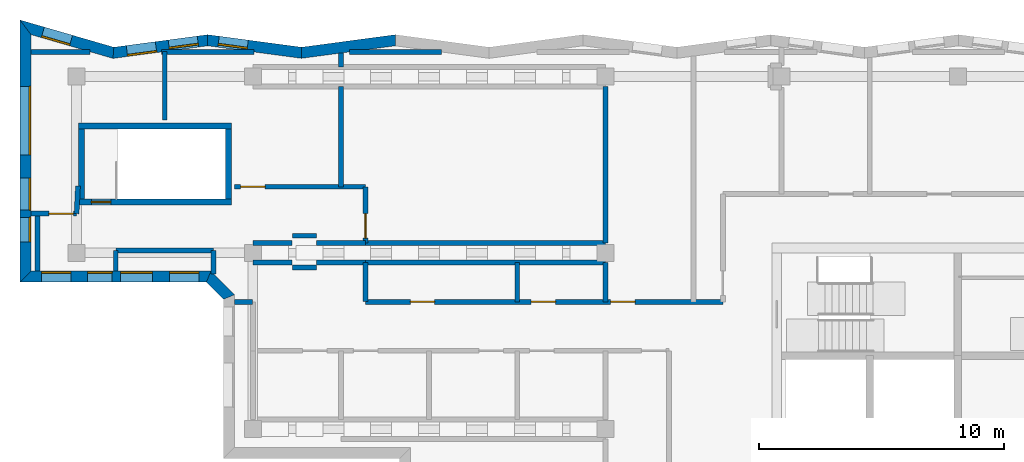
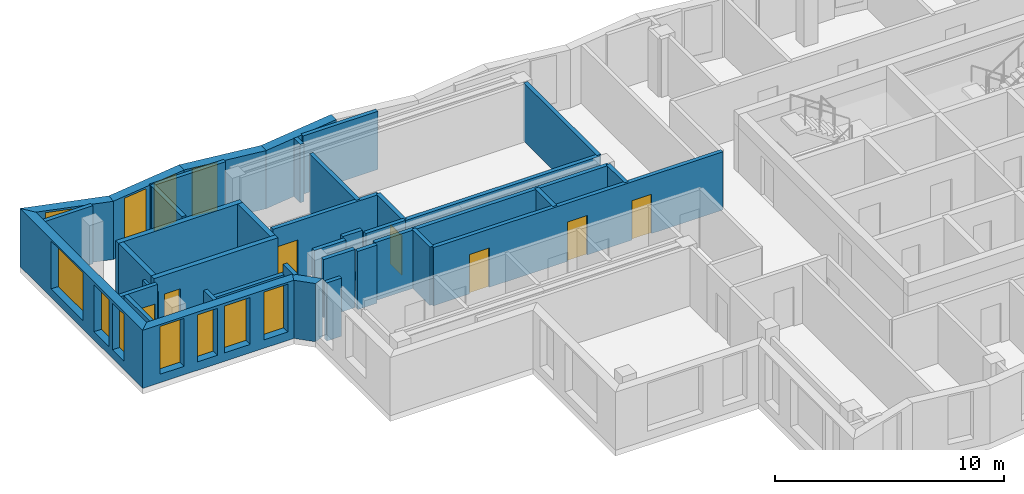
# One storey, part 6 of 12: 39 walls, 11 windows, 7 doors, 18 openings.
"""IFC4 building model written with IfcOpenShell, lengths in metres."""

from ifc_helpers import new_model, si_unit, direction, frame, frame_2d, origin, place, context, subcontext, project, spatial, polyline, rectangle, outline, extrude, material, layer, layer_set, type_object, element, fill, save


model = new_model("IFC4")

# Units and contexts
model_context = context("Model", 3, precision=1e-05, world=origin(), true_north=direction((0.0, 1.0)))
body_context = subcontext(model_context, "Body", "Model", "MODEL_VIEW")
ifc_project = project(units=[si_unit("LENGTHUNIT", "METRE"), si_unit("AREAUNIT", "SQUARE_METRE"), si_unit("VOLUMEUNIT", "CUBIC_METRE"), si_unit("PLANEANGLEUNIT", "RADIAN"), si_unit("MASSUNIT", "GRAM", prefix="KILO")], contexts=[model_context])

# Site, building, storey
site_placement = place(None, origin())
site = spatial("IfcSite", under=ifc_project, at=site_placement, CompositionType="ELEMENT")
building_placement = place(site_placement, origin())
building = spatial("IfcBuilding", under=site, at=building_placement, Name="Windrow Commons", CompositionType="ELEMENT")
storey_placement = place(building_placement, frame((0.0, 0.0, 267.6)))
storey = spatial("IfcBuildingStorey", under=building, at=storey_placement, Name="L73", CompositionType="ELEMENT", Elevation=267.6)

# Wall
ifc_material_1 = material(Name="Brick masonry, red clay brick", Category="masonry")
ifc_layer_1 = layer(ifc_material_1, 0.45)
ifc_layer_set_1 = layer_set([ifc_layer_1], Name="Brick facade wall 450")
wall_type_1 = type_object("IfcWallType", Name="Brick facade wall 450", PredefinedType="SOLIDWALL", material=ifc_layer_set_1)
wall_1_placement = place(storey_placement, frame((41.8222, 73.485, 0.0), z_axis=(0.0, 0.0, 1.0), x_axis=(-0.9911985198, -0.13238389, 0.0)))
element("IfcWall", 1, at=wall_1_placement, inside=storey, type_object=wall_type_1, Name="Brick facade wall L73 27", PredefinedType="SOLIDWALL", context=body_context, shape_type="SweptSolid", body=[
    extrude(outline(polyline([(-0.0301, -0.225), (3.8375, -0.225), (3.8976, 0.225), (0.0301, 0.225), (-0.0301, -0.225)])), origin(), (0.0, 0.0, 1.0), 3.1),
])

# Wall, opening, window
wall_2_placement = place(storey_placement, frame((37.9887, 72.973, 0.0), z_axis=(0.0, 0.0, 1.0), x_axis=(-0.9911989729, 0.1323804972, 0.0)))
wall_2 = element("IfcWall", 2, at=wall_2_placement, inside=storey, type_object=wall_type_1, Name="Brick facade wall L73 28", PredefinedType="SOLIDWALL", context=body_context, shape_type="SweptSolid", body=[
    extrude(outline(polyline([(0.0301, -0.225), (3.8976, -0.225), (3.8375, 0.225), (-0.0301, 0.225), (0.0301, -0.225)])), origin(), (0.0, 0.0, 1.0), 3.1),
])
opening_1_placement = place(wall_2_placement, frame((2.2219, 0.0, 0.45)))
opening_1 = element("IfcOpeningElement", 3, at=opening_1_placement, cuts=wall_2, Name="Opening W7F", PredefinedType="OPENING", context=body_context, shape_type="SweptSolid", body=[
    extrude(rectangle(XDim=1.2, YDim=2.55, at=frame_2d((0.6, 1.275))), frame((0.0, 0.235, 0.0), z_axis=(0.0, -1.0, 0.0), x_axis=(1.0, 0.0, 0.0)), (0.0, 0.0, 1.0), 0.47),
])
ifc_material_2 = material(Name="Clear float glass in anodised aluminium frame", Category="aluminium")
window_type_1 = type_object("IfcWindowType", Name="Window W7 notch 1200x2550", PartitioningType="SINGLE_PANEL", PredefinedType="WINDOW", material=ifc_material_2)
window_1_placement = place(opening_1_placement, origin())
window_1 = element("IfcWindow", 4, at=window_1_placement, inside=storey, type_object=window_type_1, Name="Window L73 28.1", OverallHeight=2.55, OverallWidth=1.2, PartitioningType="SINGLE_PANEL", PredefinedType="WINDOW", context=body_context, shape_type="SweptSolid", body=[
    extrude(rectangle(XDim=1.2, YDim=2.55, at=frame_2d((0.6, 1.275))), frame((0.0, 0.135, 0.0), z_axis=(0.0, -1.0, 0.0), x_axis=(1.0, 0.0, 0.0)), (0.0, 0.0, 1.0), 0.06),
])
fill(opening_1, window_1)

# Wall, openings, windows
wall_3_placement = place(storey_placement, frame((34.1551, 73.485, 0.0), z_axis=(0.0, 0.0, 1.0), x_axis=(-0.991198426, -0.1323845925, 0.0)))
wall_3 = element("IfcWall", 5, at=wall_3_placement, inside=storey, type_object=wall_type_1, Name="Brick facade wall L73 29", PredefinedType="SOLIDWALL", context=body_context, shape_type="SweptSolid", body=[
    extrude(outline(polyline([(-0.0301, -0.225), (3.8375, -0.225), (3.9323, 0.225), (0.0301, 0.225), (-0.0301, -0.225)])), origin(), (0.0, 0.0, 1.0), 3.1),
])
opening_2_placement = place(wall_3_placement, frame((0.4004, 0.0, 0.45)))
opening_2 = element("IfcOpeningElement", 6, at=opening_2_placement, cuts=wall_3, Name="Opening W7F", PredefinedType="OPENING", context=body_context, shape_type="SweptSolid", body=[
    extrude(rectangle(XDim=1.2, YDim=2.55, at=frame_2d((0.6, 1.275))), frame((0.0, 0.235, 0.0), z_axis=(0.0, -1.0, 0.0), x_axis=(1.0, 0.0, 0.0)), (0.0, 0.0, 1.0), 0.47),
])
opening_3_placement = place(wall_3_placement, frame((2.1278, 0.0, 0.45)))
opening_3 = element("IfcOpeningElement", 7, at=opening_3_placement, cuts=wall_3, Name="Opening W7F", PredefinedType="OPENING", context=body_context, shape_type="SweptSolid", body=[
    extrude(rectangle(XDim=1.2, YDim=2.55, at=frame_2d((0.6, 1.275))), frame((0.0, 0.235, 0.0), z_axis=(0.0, -1.0, 0.0), x_axis=(1.0, 0.0, 0.0)), (0.0, 0.0, 1.0), 0.47),
])
window_2_placement = place(opening_2_placement, origin())
window_2 = element("IfcWindow", 8, at=window_2_placement, inside=storey, type_object=window_type_1, Name="Window L73 29.1", OverallHeight=2.55, OverallWidth=1.2, PartitioningType="SINGLE_PANEL", PredefinedType="WINDOW", context=body_context, shape_type="SweptSolid", body=[
    extrude(rectangle(XDim=1.2, YDim=2.55, at=frame_2d((0.6, 1.275))), frame((0.0, 0.135, 0.0), z_axis=(0.0, -1.0, 0.0), x_axis=(1.0, 0.0, 0.0)), (0.0, 0.0, 1.0), 0.06),
])
fill(opening_2, window_2)
window_3_placement = place(opening_3_placement, origin())
window_3 = element("IfcWindow", 9, at=window_3_placement, inside=storey, type_object=window_type_1, Name="Window L73 29.2", OverallHeight=2.55, OverallWidth=1.2, PartitioningType="SINGLE_PANEL", PredefinedType="WINDOW", context=body_context, shape_type="SweptSolid", body=[
    extrude(rectangle(XDim=1.2, YDim=2.55, at=frame_2d((0.6, 1.275))), frame((0.0, 0.205, 0.0), z_axis=(0.0, -1.0, 0.0), x_axis=(1.0, 0.0, 0.0)), (0.0, 0.0, 1.0), 0.06),
])
fill(opening_3, window_3)

# Wall, opening, window
wall_4_placement = place(storey_placement, frame((30.3044, 72.9707, 0.0), z_axis=(0.0, 0.0, 1.0), x_axis=(-0.9604081046, 0.2785969715, 0.0)))
wall_4 = element("IfcWall", 10, at=wall_4_placement, inside=storey, type_object=wall_type_1, Name="Brick facade wall L73 30", PredefinedType="SOLIDWALL", context=body_context, shape_type="SweptSolid", body=[
    extrude(outline(polyline([(0.0474, -0.225), (4.039, -0.225), (3.4399, 0.225), (-0.0474, 0.225), (0.0474, -0.225)])), origin(), (0.0, 0.0, 1.0), 3.1),
])
opening_4_placement = place(wall_4_placement, frame((1.8031, 0.0, 0.45)))
opening_4 = element("IfcOpeningElement", 11, at=opening_4_placement, cuts=wall_4, Name="Opening W7F", PredefinedType="OPENING", context=body_context, shape_type="SweptSolid", body=[
    extrude(rectangle(XDim=1.2, YDim=2.55, at=frame_2d((0.6, 1.275))), frame((0.0, 0.235, 0.0), z_axis=(0.0, -1.0, 0.0), x_axis=(1.0, 0.0, 0.0)), (0.0, 0.0, 1.0), 0.47),
])
window_4_placement = place(opening_4_placement, origin())
window_4 = element("IfcWindow", 12, at=window_4_placement, inside=storey, type_object=window_type_1, Name="Window L73 30.1", OverallHeight=2.55, OverallWidth=1.2, PartitioningType="SINGLE_PANEL", PredefinedType="WINDOW", context=body_context, shape_type="SweptSolid", body=[
    extrude(rectangle(XDim=1.2, YDim=2.55, at=frame_2d((0.6, 1.275))), frame((0.0, 0.205, 0.0), z_axis=(0.0, -1.0, 0.0), x_axis=(1.0, 0.0, 0.0)), (0.0, 0.0, 1.0), 0.06),
])
fill(opening_4, window_4)

# Wall, openings, windows
wall_5_placement = place(storey_placement, frame((26.713, 74.0125, 0.0), z_axis=(0.0, 0.0, 1.0), x_axis=(0.0, -1.0, 0.0)))
wall_5 = element("IfcWall", 13, at=wall_5_placement, inside=storey, type_object=wall_type_1, Name="Brick facade wall L73 31", PredefinedType="SOLIDWALL", context=body_context, shape_type="SweptSolid", body=[
    extrude(outline(polyline([(-0.2995, -0.225), (10.4125, -0.225), (9.9625, 0.225), (0.2995, 0.225), (-0.2995, -0.225)])), origin(), (0.0, 0.0, 1.0), 3.1),
])
opening_5_placement = place(wall_5_placement, frame((2.4125, 0.0, 0.45)))
opening_5 = element("IfcOpeningElement", 14, at=opening_5_placement, cuts=wall_5, Name="Opening W1V", PredefinedType="OPENING", context=body_context, shape_type="SweptSolid", body=[
    extrude(rectangle(XDim=2.8, YDim=2.55, at=frame_2d((1.4, 1.275))), frame((0.0, 0.235, 0.0), z_axis=(0.0, -1.0, 0.0), x_axis=(1.0, 0.0, 0.0)), (0.0, 0.0, 1.0), 0.47),
])
opening_6_placement = place(wall_5_placement, frame((6.1625, 0.0, 0.45)))
opening_6 = element("IfcOpeningElement", 15, at=opening_6_placement, cuts=wall_5, Name="Opening W1Q", PredefinedType="OPENING", context=body_context, shape_type="SweptSolid", body=[
    extrude(rectangle(XDim=1.3, YDim=2.5, at=frame_2d((0.65, 1.25))), frame((0.0, 0.235, 0.0), z_axis=(0.0, -1.0, 0.0), x_axis=(1.0, 0.0, 0.0)), (0.0, 0.0, 1.0), 0.47),
])
opening_7_placement = place(wall_5_placement, frame((7.7625, 0.0, 0.45)))
opening_7 = element("IfcOpeningElement", 16, at=opening_7_placement, cuts=wall_5, Name="Opening W1S", PredefinedType="OPENING", context=body_context, shape_type="SweptSolid", body=[
    extrude(rectangle(XDim=1.0, YDim=2.5, at=frame_2d((0.5, 1.25))), frame((0.0, 0.235, 0.0), z_axis=(0.0, -1.0, 0.0), x_axis=(1.0, 0.0, 0.0)), (0.0, 0.0, 1.0), 0.47),
])
ifc_material_3 = material(Name="Clear float glass in anodised aluminium frame", Category="aluminium")
window_type_2 = type_object("IfcWindowType", Name="Window W1Q pair 1300x2500", PartitioningType="SINGLE_PANEL", PredefinedType="WINDOW", material=ifc_material_3)
window_5_placement = place(opening_6_placement, origin())
window_5 = element("IfcWindow", 17, at=window_5_placement, inside=storey, type_object=window_type_2, Name="Window L73 31.2A", OverallHeight=2.5, OverallWidth=1.3, PartitioningType="SINGLE_PANEL", PredefinedType="WINDOW", context=body_context, shape_type="SweptSolid", body=[
    extrude(rectangle(XDim=1.3, YDim=2.5, at=frame_2d((0.65, 1.25))), frame((0.0, 0.205, 0.0), z_axis=(0.0, -1.0, 0.0), x_axis=(1.0, 0.0, 0.0)), (0.0, 0.0, 1.0), 0.06),
])
fill(opening_6, window_5)
ifc_material_4 = material(Name="Clear float glass in anodised aluminium frame", Category="aluminium")
window_type_3 = type_object("IfcWindowType", Name="Window W1S slit 1000x2500", PartitioningType="SINGLE_PANEL", PredefinedType="WINDOW", material=ifc_material_4)
window_6_placement = place(opening_7_placement, origin())
window_6 = element("IfcWindow", 18, at=window_6_placement, inside=storey, type_object=window_type_3, Name="Window L73 31.2B", OverallHeight=2.5, OverallWidth=1.0, PartitioningType="SINGLE_PANEL", PredefinedType="WINDOW", context=body_context, shape_type="SweptSolid", body=[
    extrude(rectangle(XDim=1.0, YDim=2.5, at=frame_2d((0.5, 1.25))), frame((0.0, 0.205, 0.0), z_axis=(0.0, -1.0, 0.0), x_axis=(1.0, 0.0, 0.0)), (0.0, 0.0, 1.0), 0.06),
])
fill(opening_7, window_6)
ifc_material_5 = material(Name="Clear float glass in anodised aluminium frame", Category="aluminium")
window_type_4 = type_object("IfcWindowType", Name="Window W1V bedroom 2800x2550", PartitioningType="SINGLE_PANEL", PredefinedType="WINDOW", material=ifc_material_5)
window_7_placement = place(opening_5_placement, origin())
window_7 = element("IfcWindow", 19, at=window_7_placement, inside=storey, type_object=window_type_4, Name="Window L73 31.1", OverallHeight=2.55, OverallWidth=2.8, PartitioningType="SINGLE_PANEL", PredefinedType="WINDOW", context=body_context, shape_type="SweptSolid", body=[
    extrude(rectangle(XDim=2.8, YDim=2.55, at=frame_2d((1.4, 1.275))), frame((0.0, 0.205, 0.0), z_axis=(0.0, -1.0, 0.0), x_axis=(1.0, 0.0, 0.0)), (0.0, 0.0, 1.0), 0.06),
])
fill(opening_5, window_7)

wall_6_placement = place(storey_placement, frame((26.713, 63.825, 0.0), z_axis=(0.0, 0.0, 1.0), x_axis=(1.0, 0.0, 0.0)))
wall_6 = element("IfcWall", 20, at=wall_6_placement, inside=storey, type_object=wall_type_1, Name="Brick facade wall L73 32", PredefinedType="SOLIDWALL", context=body_context, shape_type="SweptSolid", body=[
    extrude(outline(polyline([(-0.225, -0.225), (7.387, -0.225), (7.5734, 0.225), (0.225, 0.225), (-0.225, -0.225)])), origin(), (0.0, 0.0, 1.0), 3.1),
])
opening_8_placement = place(wall_6_placement, frame((0.656, 0.0, 0.45)))
opening_8 = element("IfcOpeningElement", 21, at=opening_8_placement, cuts=wall_6, Name="Opening W7F", PredefinedType="OPENING", context=body_context, shape_type="SweptSolid", body=[
    extrude(rectangle(XDim=1.2, YDim=2.55, at=frame_2d((0.6, 1.275))), frame((0.0, 0.235, 0.0), z_axis=(0.0, -1.0, 0.0), x_axis=(1.0, 0.0, 0.0)), (0.0, 0.0, 1.0), 0.47),
])
opening_9_placement = place(wall_6_placement, frame((5.8836, 0.0, 0.45)))
opening_9 = element("IfcOpeningElement", 22, at=opening_9_placement, cuts=wall_6, Name="Opening W7F", PredefinedType="OPENING", context=body_context, shape_type="SweptSolid", body=[
    extrude(rectangle(XDim=1.2, YDim=2.55, at=frame_2d((0.6, 1.275))), frame((0.0, 0.235, 0.0), z_axis=(0.0, -1.0, 0.0), x_axis=(1.0, 0.0, 0.0)), (0.0, 0.0, 1.0), 0.47),
])
opening_10_placement = place(wall_6_placement, frame((2.537, 0.0, 0.45)))
opening_10 = element("IfcOpeningElement", 23, at=opening_10_placement, cuts=wall_6, Name="Opening W1S", PredefinedType="OPENING", context=body_context, shape_type="SweptSolid", body=[
    extrude(rectangle(XDim=1.0, YDim=2.5, at=frame_2d((0.5, 1.25))), frame((0.0, 0.235, 0.0), z_axis=(0.0, -1.0, 0.0), x_axis=(1.0, 0.0, 0.0)), (0.0, 0.0, 1.0), 0.47),
])
opening_11_placement = place(wall_6_placement, frame((3.887, 0.0, 0.45)))
opening_11 = element("IfcOpeningElement", 24, at=opening_11_placement, cuts=wall_6, Name="Opening W1Q", PredefinedType="OPENING", context=body_context, shape_type="SweptSolid", body=[
    extrude(rectangle(XDim=1.3, YDim=2.5, at=frame_2d((0.65, 1.25))), frame((0.0, 0.235, 0.0), z_axis=(0.0, -1.0, 0.0), x_axis=(1.0, 0.0, 0.0)), (0.0, 0.0, 1.0), 0.47),
])
window_8_placement = place(opening_11_placement, origin())
window_8 = element("IfcWindow", 25, at=window_8_placement, inside=storey, type_object=window_type_2, Name="Window L73 32.1B", OverallHeight=2.5, OverallWidth=1.3, PartitioningType="SINGLE_PANEL", PredefinedType="WINDOW", context=body_context, shape_type="SweptSolid", body=[
    extrude(rectangle(XDim=1.3, YDim=2.5, at=frame_2d((0.65, 1.25))), frame((0.0, 0.205, 0.0), z_axis=(0.0, -1.0, 0.0), x_axis=(1.0, 0.0, 0.0)), (0.0, 0.0, 1.0), 0.06),
])
fill(opening_11, window_8)
window_9_placement = place(opening_10_placement, origin())
window_9 = element("IfcWindow", 26, at=window_9_placement, inside=storey, type_object=window_type_3, Name="Window L73 32.1A", OverallHeight=2.5, OverallWidth=1.0, PartitioningType="SINGLE_PANEL", PredefinedType="WINDOW", context=body_context, shape_type="SweptSolid", body=[
    extrude(rectangle(XDim=1.0, YDim=2.5, at=frame_2d((0.5, 1.25))), frame((0.0, 0.205, 0.0), z_axis=(0.0, -1.0, 0.0), x_axis=(1.0, 0.0, 0.0)), (0.0, 0.0, 1.0), 0.06),
])
fill(opening_10, window_9)
window_10_placement = place(opening_8_placement, origin())
window_10 = element("IfcWindow", 27, at=window_10_placement, inside=storey, type_object=window_type_1, Name="Window L73 32.2", OverallHeight=2.55, OverallWidth=1.2, PartitioningType="SINGLE_PANEL", PredefinedType="WINDOW", context=body_context, shape_type="SweptSolid", body=[
    extrude(rectangle(XDim=1.2, YDim=2.55, at=frame_2d((0.6, 1.275))), frame((0.0, 0.205, 0.0), z_axis=(0.0, -1.0, 0.0), x_axis=(1.0, 0.0, 0.0)), (0.0, 0.0, 1.0), 0.06),
])
fill(opening_8, window_10)
window_11_placement = place(opening_9_placement, origin())
window_11 = element("IfcWindow", 28, at=window_11_placement, inside=storey, type_object=window_type_1, Name="Window L73 32.3", OverallHeight=2.55, OverallWidth=1.2, PartitioningType="SINGLE_PANEL", PredefinedType="WINDOW", context=body_context, shape_type="SweptSolid", body=[
    extrude(rectangle(XDim=1.2, YDim=2.55, at=frame_2d((0.6, 1.275))), frame((0.0, 0.205, 0.0), z_axis=(0.0, -1.0, 0.0), x_axis=(1.0, 0.0, 0.0)), (0.0, 0.0, 1.0), 0.06),
])
fill(opening_9, window_11)

# Wall
wall_7_placement = place(storey_placement, frame((34.1932, 63.825, 0.0), z_axis=(0.0, 0.0, 1.0), x_axis=(0.7071067812, -0.7071067812, 0.0)))
element("IfcWall", 29, at=wall_7_placement, inside=storey, type_object=wall_type_1, Name="Brick facade wall L73 33", PredefinedType="SOLIDWALL", context=body_context, shape_type="SweptSolid", body=[
    extrude(outline(polyline([(0.0932, -0.225), (1.0831, -0.225), (1.2695, 0.225), (-0.0932, 0.225), (0.0932, -0.225)])), origin(), (0.0, 0.0, 1.0), 3.1),
])

# Wall, openings, doors
ifc_material_6 = material(Name="Blockwork partition", Category="masonry")
ifc_layer_2 = layer(ifc_material_6, 0.2)
ifc_layer_set_2 = layer_set([ifc_layer_2], Name="IW-CORRIDOR-200")
wall_type_2 = type_object("IfcWallType", Name="IW-CORRIDOR-200", PredefinedType="PARTITIONING", material=ifc_layer_set_2)
wall_8_placement = place(storey_placement, frame((40.61, 62.8, 0.0), z_axis=(0.0, 0.0, 1.0), x_axis=(1.0, 0.0, 0.0)))
wall_8 = element("IfcWall", 30, at=wall_8_placement, inside=storey, type_object=wall_type_2, Name="W-L73-W003", PredefinedType="PARTITIONING", context=body_context, shape_type="SweptSolid", body=[
    extrude(rectangle(XDim=14.59, YDim=0.2, at=frame_2d((7.295, 0.0))), origin(), (0.0, 0.0, 1.0), 3.1),
])
opening_12_placement = place(wall_8_placement, frame((1.82, 0.0, 0.0)))
opening_12 = element("IfcOpeningElement", 31, at=opening_12_placement, cuts=wall_8, Name="Opening D410F", PredefinedType="OPENING", context=body_context, shape_type="SweptSolid", body=[
    extrude(rectangle(XDim=1.0, YDim=2.1, at=frame_2d((0.5, 1.05))), frame((0.0, 0.11, 0.0), z_axis=(0.0, -1.0, 0.0), x_axis=(1.0, 0.0, 0.0)), (0.0, 0.0, 1.0), 0.22),
])
opening_13_placement = place(wall_8_placement, frame((6.7575, 0.0, 0.0)))
opening_13 = element("IfcOpeningElement", 32, at=opening_13_placement, cuts=wall_8, Name="Opening D310F", PredefinedType="OPENING", context=body_context, shape_type="SweptSolid", body=[
    extrude(rectangle(XDim=1.0, YDim=2.1, at=frame_2d((0.5, 1.05))), frame((0.0, 0.11, 0.0), z_axis=(0.0, -1.0, 0.0), x_axis=(1.0, 0.0, 0.0)), (0.0, 0.0, 1.0), 0.22),
])
opening_14_placement = place(wall_8_placement, frame((10.005, 0.0, 0.0)))
opening_14 = element("IfcOpeningElement", 33, at=opening_14_placement, cuts=wall_8, Name="Opening D310F", PredefinedType="OPENING", context=body_context, shape_type="SweptSolid", body=[
    extrude(rectangle(XDim=1.0, YDim=2.1, at=frame_2d((0.5, 1.05))), frame((0.0, 0.11, 0.0), z_axis=(0.0, -1.0, 0.0), x_axis=(1.0, 0.0, 0.0)), (0.0, 0.0, 1.0), 0.22),
])
ifc_material_7 = material(Name="Timber door leaf", Category="wood")
door_type_1 = type_object("IfcDoorType", Name="DT-AMENITY-1000", OperationType="SINGLE_SWING_LEFT", PredefinedType="DOOR", material=ifc_material_7)
door_1_placement = place(opening_13_placement, origin())
door_1 = element("IfcDoor", 34, at=door_1_placement, inside=storey, type_object=door_type_1, Name="D-L73-D019", OperationType="SINGLE_SWING_LEFT", OverallHeight=2.1, OverallWidth=1.0, PredefinedType="DOOR", context=body_context, shape_type="SweptSolid", body=[
    extrude(rectangle(XDim=1.0, YDim=2.1, at=frame_2d((0.5, 1.05))), frame((0.0, 0.025, 0.0), z_axis=(0.0, -1.0, 0.0), x_axis=(1.0, 0.0, 0.0)), (0.0, 0.0, 1.0), 0.05),
])
fill(opening_13, door_1)
door_2_placement = place(opening_14_placement, origin())
door_2 = element("IfcDoor", 35, at=door_2_placement, inside=storey, type_object=door_type_1, Name="D-L73-D020", OperationType="SINGLE_SWING_LEFT", OverallHeight=2.1, OverallWidth=1.0, PredefinedType="DOOR", context=body_context, shape_type="SweptSolid", body=[
    extrude(rectangle(XDim=1.0, YDim=2.1, at=frame_2d((0.5, 1.05))), frame((0.0, 0.025, 0.0), z_axis=(0.0, -1.0, 0.0), x_axis=(1.0, 0.0, 0.0)), (0.0, 0.0, 1.0), 0.05),
])
fill(opening_14, door_2)
ifc_material_8 = material(Name="Timber door leaf", Category="wood")
door_type_2 = type_object("IfcDoorType", Name="DT-SERVICE-1000", OperationType="SINGLE_SWING_LEFT", PredefinedType="DOOR", material=ifc_material_8)
door_3_placement = place(opening_12_placement, origin())
door_3 = element("IfcDoor", 36, at=door_3_placement, inside=storey, type_object=door_type_2, Name="D-L73-D018", OperationType="SINGLE_SWING_LEFT", OverallHeight=2.1, OverallWidth=1.0, PredefinedType="DOOR", context=body_context, shape_type="SweptSolid", body=[
    extrude(rectangle(XDim=1.0, YDim=2.1, at=frame_2d((0.5, 1.05))), frame((0.0, 0.025, 0.0), z_axis=(0.0, -1.0, 0.0), x_axis=(1.0, 0.0, 0.0)), (0.0, 0.0, 1.0), 0.05),
])
fill(opening_12, door_3)

# Wall, opening, door
wall_9_placement = place(storey_placement, frame((35.246, 67.5, 0.0), z_axis=(0.0, 0.0, 1.0), x_axis=(1.0, 0.0, 0.0)))
wall_9 = element("IfcWall", 37, at=wall_9_placement, inside=storey, type_object=wall_type_2, Name="W-L73-W032", PredefinedType="PARTITIONING", context=body_context, shape_type="SweptSolid", body=[
    extrude(rectangle(XDim=5.352, YDim=0.2, at=frame_2d((2.676, 0.0))), origin(), (0.0, 0.0, 1.0), 3.1),
])
opening_15_placement = place(wall_9_placement, frame((0.254, 0.0, 0.0)))
opening_15 = element("IfcOpeningElement", 38, at=opening_15_placement, cuts=wall_9, Name="Opening D310F", PredefinedType="OPENING", context=body_context, shape_type="SweptSolid", body=[
    extrude(rectangle(XDim=1.0, YDim=2.1, at=frame_2d((0.5, 1.05))), frame((0.0, 0.11, 0.0), z_axis=(0.0, -1.0, 0.0), x_axis=(1.0, 0.0, 0.0)), (0.0, 0.0, 1.0), 0.22),
])
door_4_placement = place(opening_15_placement, origin())
door_4 = element("IfcDoor", 39, at=door_4_placement, inside=storey, type_object=door_type_1, Name="D-L73-D016", OperationType="SINGLE_SWING_LEFT", OverallHeight=2.1, OverallWidth=1.0, PredefinedType="DOOR", context=body_context, shape_type="SweptSolid", body=[
    extrude(rectangle(XDim=1.0, YDim=2.1, at=frame_2d((0.5, 1.05))), frame((0.0, 0.025, 0.0), z_axis=(0.0, -1.0, 0.0), x_axis=(1.0, 0.0, 0.0)), (0.0, 0.0, 1.0), 0.05),
])
fill(opening_15, door_4)

# Walls
wall_10_placement = place(storey_placement, frame((30.402, 64.9, 0.0), z_axis=(0.0, 0.0, 1.0), x_axis=(1.0, 0.0, 0.0)))
element("IfcWall", 40, at=wall_10_placement, inside=storey, type_object=wall_type_2, Name="W-L73-W049", PredefinedType="PARTITIONING", context=body_context, shape_type="SweptSolid", body=[
    extrude(rectangle(XDim=3.988, YDim=0.2, at=frame_2d((1.994, 0.0))), origin(), (0.0, 0.0, 1.0), 2.6),
])
wall_11_placement = place(storey_placement, frame((27.2, 64.05, 0.0), z_axis=(0.0, 0.0, 1.0), x_axis=(0.0, 1.0, 0.0)))
element("IfcWall", 41, at=wall_11_placement, inside=storey, type_object=wall_type_2, Name="W-L73-W083", PredefinedType="PARTITIONING", context=body_context, shape_type="SweptSolid", body=[
    extrude(rectangle(XDim=2.348, YDim=0.2, at=frame_2d((1.174, 0.0))), origin(), (0.0, 0.0, 1.0), 3.1),
])

# Wall, opening, door
wall_12_placement = place(storey_placement, frame((40.6, 65.2, 0.0), z_axis=(0.0, 0.0, 1.0), x_axis=(0.0, 1.0, 0.0)))
wall_12 = element("IfcWall", 42, at=wall_12_placement, inside=storey, type_object=wall_type_2, Name="W-L73-W084", PredefinedType="PARTITIONING", context=body_context, shape_type="SweptSolid", body=[
    extrude(rectangle(XDim=2.298, YDim=0.2, at=frame_2d((1.149, 0.0))), origin(), (0.0, 0.0, 1.0), 3.1),
])
opening_16_placement = place(wall_12_placement, frame((0.2035, 0.0, 0.0)))
opening_16 = element("IfcOpeningElement", 43, at=opening_16_placement, cuts=wall_12, Name="Opening D310F", PredefinedType="OPENING", context=body_context, shape_type="SweptSolid", body=[
    extrude(rectangle(XDim=1.0, YDim=2.1, at=frame_2d((0.5, 1.05))), frame((0.0, 0.11, 0.0), z_axis=(0.0, -1.0, 0.0), x_axis=(1.0, 0.0, 0.0)), (0.0, 0.0, 1.0), 0.22),
])
door_5_placement = place(opening_16_placement, origin())
door_5 = element("IfcDoor", 44, at=door_5_placement, inside=storey, type_object=door_type_1, Name="D-L73-D017", OperationType="SINGLE_SWING_LEFT", OverallHeight=2.1, OverallWidth=1.0, PredefinedType="DOOR", context=body_context, shape_type="SweptSolid", body=[
    extrude(rectangle(XDim=1.0, YDim=2.1, at=frame_2d((0.5, 1.05))), frame((0.0, 0.025, 0.0), z_axis=(0.0, -1.0, 0.0), x_axis=(1.0, 0.0, 0.0)), (0.0, 0.0, 1.0), 0.05),
])
fill(opening_16, door_5)

# Walls
for number, where, z_axis, x_axis, name in (
    (45, (38.6, 64.4, 0.0), (0.0, 0.0, 1.0), (1.0, 0.0, 0.0), "W-L73-W088"),
    (46, (38.6, 65.2, 0.0), (0.0, 0.0, 1.0), (1.0, 0.0, 0.0), "W-L73-W089"),
):
    element("IfcWall", number, at=place(storey_placement, frame(where, z_axis=z_axis, x_axis=x_axis)), inside=storey, type_object=wall_type_2, Name=name, PredefinedType="PARTITIONING", context=body_context, shape_type="SweptSolid", body=[
        extrude(rectangle(XDim=2.0, YDim=0.2, at=frame_2d((1.0, 0.0))), origin(), (0.0, 0.0, 1.0), 3.1),
    ])

# Wall, opening, door
wall_13_placement = place(storey_placement, frame((26.938, 66.4, 0.0), z_axis=(0.0, 0.0, 1.0), x_axis=(1.0, 0.0, 0.0)))
wall_13 = element("IfcWall", 47, at=wall_13_placement, inside=storey, type_object=wall_type_2, Name="W-L73-W103", PredefinedType="PARTITIONING", context=body_context, shape_type="SweptSolid", body=[
    extrude(rectangle(XDim=1.862, YDim=0.2, at=frame_2d((0.931, 0.0))), origin(), (0.0, 0.0, 1.0), 3.1),
])
opening_17_placement = place(wall_13_placement, frame((0.7328, 0.0, 0.0)))
opening_17 = element("IfcOpeningElement", 48, at=opening_17_placement, cuts=wall_13, Name="Opening D310F", PredefinedType="OPENING", context=body_context, shape_type="SweptSolid", body=[
    extrude(rectangle(XDim=1.0, YDim=2.1, at=frame_2d((0.5, 1.05))), frame((0.0, 0.11, 0.0), z_axis=(0.0, -1.0, 0.0), x_axis=(1.0, 0.0, 0.0)), (0.0, 0.0, 1.0), 0.22),
])
door_6_placement = place(opening_17_placement, origin())
door_6 = element("IfcDoor", 49, at=door_6_placement, inside=storey, type_object=door_type_1, Name="D-L73-D015", OperationType="SINGLE_SWING_LEFT", OverallHeight=2.1, OverallWidth=1.0, PredefinedType="DOOR", context=body_context, shape_type="SweptSolid", body=[
    extrude(rectangle(XDim=1.0, YDim=2.1, at=frame_2d((0.5, 1.05))), frame((0.0, 0.025, 0.0), z_axis=(0.0, -1.0, 0.0), x_axis=(1.0, 0.0, 0.0)), (0.0, 0.0, 1.0), 0.05),
])
fill(opening_17, door_6)

# Walls
for number, where, z_axis, x_axis, name in (
    (50, (36.01, 64.4, 0.0), (0.0, 0.0, 1.0), (1.0, 0.0, 0.0), "W-L73-W104"),
    (51, (36.01, 65.2, 0.0), (0.0, 0.0, 1.0), (1.0, 0.0, 0.0), "W-L73-W105"),
    (52, (40.6, 62.81, 0.0), (0.0, 0.0, 1.0), (0.0, 1.0, 0.0), "W-L73-W106"),
):
    element("IfcWall", number, at=place(storey_placement, frame(where, z_axis=z_axis, x_axis=x_axis)), inside=storey, type_object=wall_type_2, Name=name, PredefinedType="PARTITIONING", context=body_context, shape_type="SweptSolid", body=[
        extrude(rectangle(XDim=1.59, YDim=0.2, at=frame_2d((0.795, 0.0))), origin(), (0.0, 0.0, 1.0), 3.1),
    ])
for number, where, z_axis, x_axis, name in (
    (53, (37.61, 64.2, 0.0), (0.0, 0.0, 1.0), (1.0, 0.0, 0.0), "W-L73-W113"),
    (54, (37.61, 65.5, 0.0), (0.0, 0.0, 1.0), (1.0, 0.0, 0.0), "W-L73-W114"),
):
    element("IfcWall", number, at=place(storey_placement, frame(where, z_axis=z_axis, x_axis=x_axis)), inside=storey, type_object=wall_type_2, Name=name, PredefinedType="PARTITIONING", context=body_context, shape_type="SweptSolid", body=[
        extrude(rectangle(XDim=0.98, YDim=0.2, at=frame_2d((0.49, 0.0))), origin(), (0.0, 0.0, 1.0), 3.1),
    ])
wall_14_placement = place(storey_placement, frame((34.4, 63.9364, 0.0), z_axis=(0.0, 0.0, 1.0), x_axis=(0.0, 1.0, 0.0)))
element("IfcWall", 55, at=wall_14_placement, inside=storey, type_object=wall_type_2, Name="W-L73-W116", PredefinedType="PARTITIONING", context=body_context, shape_type="SweptSolid", body=[
    extrude(rectangle(XDim=0.9536, YDim=0.2, at=frame_2d((0.4768, 0.0))), origin(), (0.0, 0.0, 1.0), 3.1),
])
wall_15_placement = place(storey_placement, frame((30.4, 64.05, 0.0), z_axis=(0.0, 0.0, 1.0), x_axis=(0.0, 1.0, 0.0)))
element("IfcWall", 56, at=wall_15_placement, inside=storey, type_object=wall_type_2, Name="W-L73-W121", PredefinedType="PARTITIONING", context=body_context, shape_type="SweptSolid", body=[
    extrude(rectangle(XDim=0.85, YDim=0.2, at=frame_2d((0.425, 0.0))), origin(), (0.0, 0.0, 1.0), 3.1),
])
wall_16_placement = place(storey_placement, frame((35.25, 62.8, 0.0), z_axis=(0.0, 0.0, 1.0), x_axis=(1.0, 0.0, 0.0)))
element("IfcWall", 57, at=wall_16_placement, inside=storey, type_object=wall_type_2, Name="W-L73-W128", PredefinedType="PARTITIONING", context=body_context, shape_type="SweptSolid", body=[
    extrude(rectangle(XDim=0.74, YDim=0.2, at=frame_2d((0.37, 0.0))), origin(), (0.0, 0.0, 1.0), 3.1),
])
wall_17_placement = place(storey_placement, frame((28.855, 67.53, 0.0), z_axis=(0.0, 0.0, 1.0), x_axis=(-0.0486150155, -0.9988175911, 0.0)))
element("IfcWall", 58, at=wall_17_placement, inside=storey, type_object=wall_type_2, Name="W-L73-W141", PredefinedType="PARTITIONING", context=body_context, shape_type="SweptSolid", body=[
    extrude(rectangle(XDim=1.1313, YDim=0.2, at=frame_2d((0.5656, 0.0))), origin(), (0.0, 0.0, 1.0), 2.6),
])
ifc_material_9 = material(Name="Blockwork partition", Category="masonry")
ifc_layer_3 = layer(ifc_material_9, 0.2)
ifc_layer_set_3 = layer_set([ifc_layer_3], Name="IW-PARTY-200")
wall_type_3 = type_object("IfcWallType", Name="IW-PARTY-200", PredefinedType="PARTITIONING", material=ifc_layer_set_3)
for number, where, z_axis, x_axis, name in (
    (59, (40.6, 64.4, 0.0), (0.0, 0.0, 1.0), (1.0, 0.0, 0.0), "W-L73-W014"),
    (60, (40.6, 65.2, 0.0), (0.0, 0.0, 1.0), (1.0, 0.0, 0.0), "W-L73-W015"),
):
    element("IfcWall", number, at=place(storey_placement, frame(where, z_axis=z_axis, x_axis=x_axis)), inside=storey, type_object=wall_type_3, Name=name, PredefinedType="PARTITIONING", context=body_context, shape_type="SweptSolid", body=[
        extrude(rectangle(XDim=9.8, YDim=0.2, at=frame_2d((4.9, 0.0))), origin(), (0.0, 0.0, 1.0), 3.1),
    ])
wall_18_placement = place(storey_placement, frame((50.4, 65.2, 0.0), z_axis=(0.0, 0.0, 1.0), x_axis=(0.0, 1.0, 0.0)))
element("IfcWall", 61, at=wall_18_placement, inside=storey, type_object=wall_type_3, Name="W-L73-W025", PredefinedType="PARTITIONING", context=body_context, shape_type="SweptSolid", body=[
    extrude(rectangle(XDim=6.4, YDim=0.2, at=frame_2d((3.2, 0.0))), origin(), (0.0, 0.0, 1.0), 3.1),
])
wall_19_placement = place(storey_placement, frame((39.6, 67.5, 0.0), z_axis=(0.0, 0.0, 1.0), x_axis=(0.0, 1.0, 0.0)))
element("IfcWall", 62, at=wall_19_placement, inside=storey, type_object=wall_type_3, Name="W-L73-W048", PredefinedType="PARTITIONING", context=body_context, shape_type="SweptSolid", body=[
    extrude(rectangle(XDim=4.1, YDim=0.2, at=frame_2d((2.05, 0.0))), origin(), (0.0, 0.0, 1.0), 3.1),
])
for number, where, z_axis, x_axis, name in (
    (63, (32.2733, 73.0, 0.0), (0.0, 0.0, 1.0), (1.0, 0.0, 0.0), "W-L73-W051"),
    (64, (39.9404, 73.0, 0.0), (0.0, 0.0, 1.0), (1.0, 0.0, 0.0), "W-L73-W052"),
):
    element("IfcWall", number, at=place(storey_placement, frame(where, z_axis=z_axis, x_axis=x_axis)), inside=storey, type_object=wall_type_3, Name=name, PredefinedType="PARTITIONING", context=body_context, shape_type="SweptSolid", body=[
        extrude(rectangle(XDim=3.7636, YDim=0.2, at=frame_2d((1.8818, 0.0))), origin(), (0.0, 0.0, 1.0), 3.1),
    ])
wall_20_placement = place(storey_placement, frame((32.4, 70.22, 0.0), z_axis=(0.0, 0.0, 1.0), x_axis=(0.0, 1.0, 0.0)))
element("IfcWall", 65, at=wall_20_placement, inside=storey, type_object=wall_type_3, Name="W-L73-W070", PredefinedType="PARTITIONING", context=body_context, shape_type="SweptSolid", body=[
    extrude(rectangle(XDim=2.8036, YDim=0.2, at=frame_2d((1.4018, 0.0))), origin(), (0.0, 0.0, 1.0), 3.1),
])
wall_21_placement = place(storey_placement, frame((26.938, 73.0, 0.0), z_axis=(0.0, 0.0, 1.0), x_axis=(1.0, 0.0, 0.0)))
element("IfcWall", 66, at=wall_21_placement, inside=storey, type_object=wall_type_3, Name="W-L73-W081", PredefinedType="PARTITIONING", context=body_context, shape_type="SweptSolid", body=[
    extrude(rectangle(XDim=2.4077, YDim=0.2, at=frame_2d((1.2039, 0.0))), origin(), (0.0, 0.0, 1.0), 3.1),
])
for number, where, z_axis, x_axis, name in (
    (67, (46.8, 62.8, 0.0), (0.0, 0.0, 1.0), (0.0, 1.0, 0.0), "W-L73-W099"),
    (68, (50.4, 62.8, 0.0), (0.0, 0.0, 1.0), (0.0, 1.0, 0.0), "W-L73-W100"),
):
    element("IfcWall", number, at=place(storey_placement, frame(where, z_axis=z_axis, x_axis=x_axis)), inside=storey, type_object=wall_type_3, Name=name, PredefinedType="PARTITIONING", context=body_context, shape_type="SweptSolid", body=[
        extrude(rectangle(XDim=1.6, YDim=0.2, at=frame_2d((0.8, 0.0))), origin(), (0.0, 0.0, 1.0), 3.1),
    ])
wall_22_placement = place(storey_placement, frame((39.6, 72.4, 0.0), z_axis=(0.0, 0.0, 1.0), x_axis=(0.0, 1.0, 0.0)))
element("IfcWall", 69, at=wall_22_placement, inside=storey, type_object=wall_type_3, Name="W-L73-W133", PredefinedType="PARTITIONING", context=body_context, shape_type="SweptSolid", body=[
    extrude(rectangle(XDim=0.5612, YDim=0.2, at=frame_2d((0.2806, 0.0))), origin(), (0.0, 0.0, 1.0), 3.1),
])

# Wall, opening, door
ifc_material_10 = material(Name="Concrete C40/50", Category="concrete")
ifc_layer_4 = layer(ifc_material_10, 0.25)
ifc_layer_set_4 = layer_set([ifc_layer_4], Name="RC SHAFT WALL 250 C40/50")
wall_type_4 = type_object("IfcWallType", Name="RC SHAFT WALL 250 C40/50", PredefinedType="SOLIDWALL", material=ifc_layer_set_4)
wall_23_placement = place(storey_placement, frame((28.875, 66.875, -0.3), z_axis=(0.0, 0.0, 1.0), x_axis=(1.0, 0.0, 0.0)))
wall_23 = element("IfcWall", 70, at=wall_23_placement, inside=storey, type_object=wall_type_4, Name="Stair enclosure wall L73 S", PredefinedType="SOLIDWALL", context=body_context, shape_type="SweptSolid", body=[
    extrude(rectangle(XDim=6.25, YDim=0.25, at=frame_2d((3.125, 0.0))), origin(), (0.0, 0.0, 1.0), 3.4),
])
opening_18_placement = place(wall_23_placement, frame((0.525, 0.0, 0.3)))
opening_18 = element("IfcOpeningElement", 71, at=opening_18_placement, cuts=wall_23, Name="Opening D23", PredefinedType="OPENING", context=body_context, shape_type="SweptSolid", body=[
    extrude(rectangle(XDim=0.8, YDim=2.1, at=frame_2d((0.4, 1.05))), frame((0.0, 0.135, 0.0), z_axis=(0.0, -1.0, 0.0), x_axis=(1.0, 0.0, 0.0)), (0.0, 0.0, 1.0), 0.27),
])
ifc_material_11 = material(Name="Steel fire door leaf", Category="steel")
door_type_3 = type_object("IfcDoorType", Name="Stair door 800", OperationType="SINGLE_SWING_LEFT", PredefinedType="DOOR", material=ifc_material_11)
door_7_placement = place(opening_18_placement, origin())
door_7 = element("IfcDoor", 72, at=door_7_placement, inside=storey, type_object=door_type_3, Name="Stair door", OperationType="SINGLE_SWING_LEFT", OverallHeight=2.1, OverallWidth=0.8, PredefinedType="DOOR", context=body_context, shape_type="SweptSolid", body=[
    extrude(rectangle(XDim=0.8, YDim=2.1, at=frame_2d((0.4, 1.05))), frame((0.0, 0.025, 0.0), z_axis=(0.0, -1.0, 0.0), x_axis=(1.0, 0.0, 0.0)), (0.0, 0.0, 1.0), 0.05),
])
fill(opening_18, door_7)

# Walls
wall_24_placement = place(storey_placement, frame((28.875, 69.975, -0.3), z_axis=(0.0, 0.0, 1.0), x_axis=(1.0, 0.0, 0.0)))
element("IfcWall", 73, at=wall_24_placement, inside=storey, type_object=wall_type_4, Name="Stair enclosure wall L73 N", PredefinedType="SOLIDWALL", context=body_context, shape_type="SweptSolid", body=[
    extrude(rectangle(XDim=6.25, YDim=0.25, at=frame_2d((3.125, 0.0))), origin(), (0.0, 0.0, 1.0), 3.4),
])
for number, where, z_axis, x_axis, name in (
    (74, (29.0, 67.0, -0.3), (0.0, 0.0, 1.0), (0.0, 1.0, 0.0), "Stair enclosure wall L73 W"),
    (75, (35.0, 67.0, -0.3), (0.0, 0.0, 1.0), (0.0, 1.0, 0.0), "Stair enclosure wall L73 E"),
):
    element("IfcWall", number, at=place(storey_placement, frame(where, z_axis=z_axis, x_axis=x_axis)), inside=storey, type_object=wall_type_4, Name=name, PredefinedType="SOLIDWALL", context=body_context, shape_type="SweptSolid", body=[
        extrude(rectangle(XDim=2.85, YDim=0.25, at=frame_2d((1.425, 0.0))), origin(), (0.0, 0.0, 1.0), 3.4),
    ])

save(model, "model.ifc")
